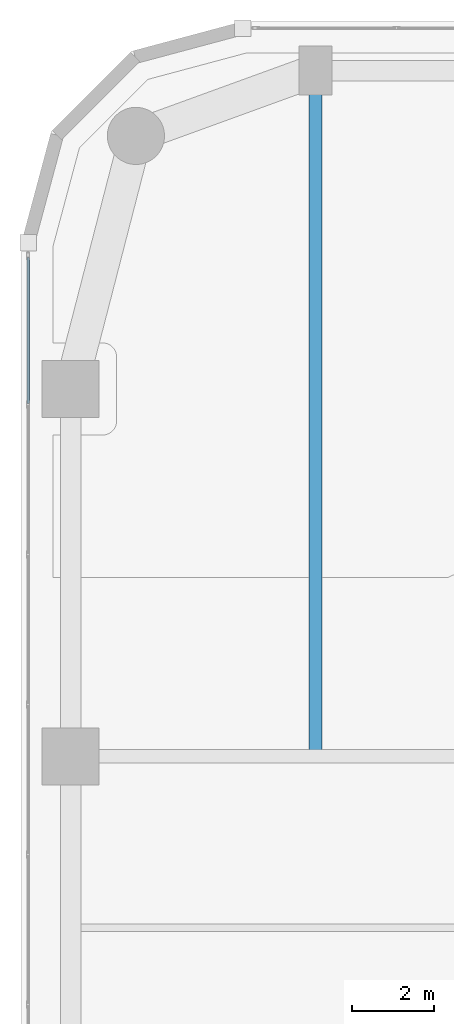
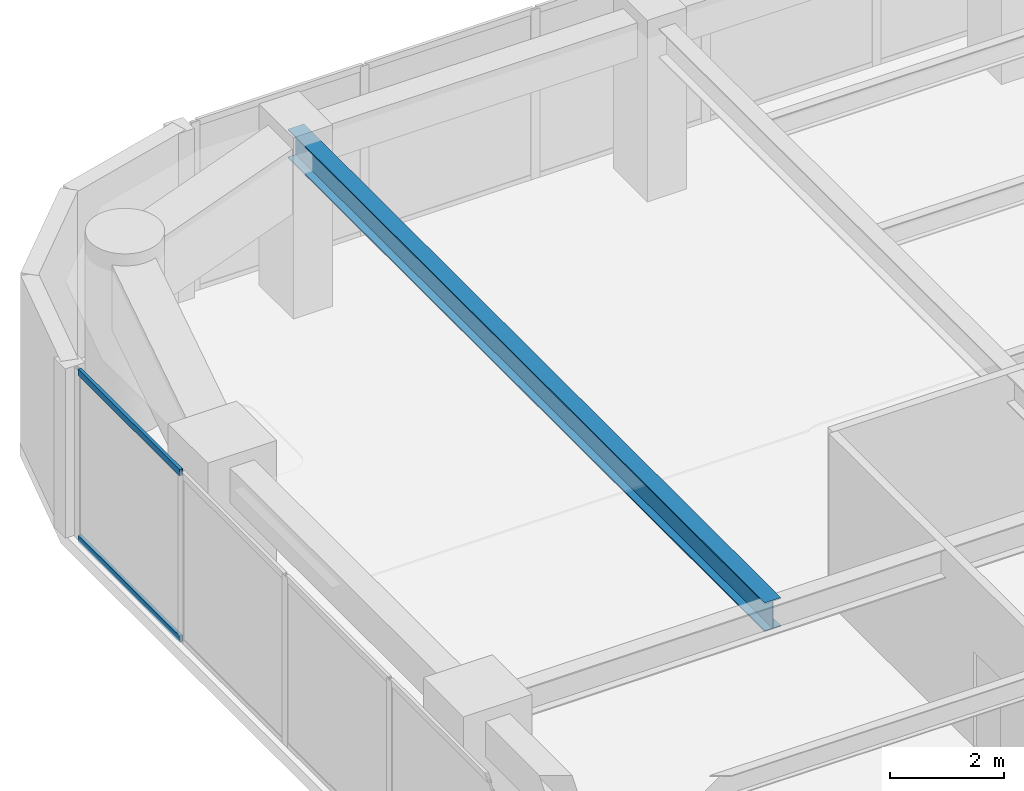
# One storey, part 10 of 24: 2 members, 1 beam, 1 element without a shape of its own.
"""IFC4 building model written with IfcOpenShell, lengths in metres."""

from ifc_helpers import new_model, si_unit, direction, frame, origin, origin_2d, place, context, subcontext, project, spatial, hollow_rectangle, i_section, extrude, material, layer, layer_set, material_profile, profile_set, type_object, element, aggregate, save


model = new_model("IFC4")

# Units and contexts
model_context = context("Model", 3, precision=1e-05, world=origin(), true_north=direction((0.0, 1.0)))
body_context = subcontext(model_context, "Body", "Model", "MODEL_VIEW")
ifc_project = project(units=[si_unit("LENGTHUNIT", "METRE"), si_unit("AREAUNIT", "SQUARE_METRE"), si_unit("VOLUMEUNIT", "CUBIC_METRE"), si_unit("PLANEANGLEUNIT", "RADIAN"), si_unit("MASSUNIT", "GRAM", prefix="KILO")], contexts=[model_context])

# Site, building, storey
site_placement = place(None, origin())
site = spatial("IfcSite", under=ifc_project, at=site_placement, CompositionType="ELEMENT")
building_placement = place(site_placement, origin())
building = spatial("IfcBuilding", under=site, at=building_placement, Name="Kiyonajd Concourse Tower", CompositionType="ELEMENT")
storey_placement = place(building_placement, frame((0.0, 0.0, 129.89990234375)))
storey = spatial("IfcBuildingStorey", under=building, at=storey_placement, Name="L33", CompositionType="ELEMENT", Elevation=129.89990234375)

# Beam
ifc_material_1 = material(Name="Steel ASTM A992 Grade 50", Category="steel")
ifc_material_profile_1 = material_profile(ifc_material_1, i_section(OverallWidth=0.326904296875, OverallDepth=0.6220703125, WebThickness=0.015380859375, FlangeThickness=0.0244140625, at=origin_2d()), Name="W610X195")
ifc_profile_set_1 = profile_set([ifc_material_profile_1], Name="Steel ASTM A992 Grade 50")
beam_type = type_object("IfcBeamType", Name="BM-TWR-610A", PredefinedType="BEAM", material=ifc_profile_set_1)
beam_placement = place(storey_placement, frame((25.199951171875, 44.39990234375, 3.3291015625), z_axis=(0.0, 1.0, 0.0), x_axis=(-1.0, 0.0, 0.0)))
element("IfcBeam", 1, at=beam_placement, inside=storey, type_object=beam_type, Name="L33 North Lease Girder", PredefinedType="BEAM", context=body_context, shape_type="SweptSolid", body=[
    extrude(i_section(OverallWidth=0.326904296875, OverallDepth=0.6220703125, WebThickness=0.015380859375, FlangeThickness=0.0244140625, at=origin_2d()), origin(), (0.0, 0.0, 1.0), 16.800048828125),
])

# Curtain wall, members
ifc_material_2 = material(Name="Thermally Broken Anodised Aluminium", Category="aluminium")
ifc_layer = layer(ifc_material_2, 0.179931640625)
ifc_layer_set = layer_set([ifc_layer], Name="Thermally Broken Anodised Aluminium")
curtain_wall_type = type_object("IfcCurtainWallType", Name="CW-SYS-03", PredefinedType="NOTDEFINED", material=ifc_layer_set)
curtain_wall_placement = place(storey_placement, origin())
curtain_wall = element("IfcCurtainWall", 2, at=curtain_wall_placement, inside=storey, type_object=curtain_wall_type, Name="L33 Unitised Curtain Wall CW3", PredefinedType="NOTDEFINED")
ifc_material_profile_2 = material_profile(ifc_material_2, hollow_rectangle(XDim=0.06494140625, YDim=0.139892578125, WallThickness=0.00390625, at=origin_2d()), Name="TRAN-65x140")
ifc_profile_set_2 = profile_set([ifc_material_profile_2], Name="Thermally Broken Anodised Aluminium")
member_type = type_object("IfcMemberType", Name="MB-CW-TRAN1", PredefinedType="USERDEFINED", material=ifc_profile_set_2)
member_1_placement = place(storey_placement, frame((18.159912109375, 53.04833984375, 0.03271484375), z_axis=(0.0, 1.0, 0.0), x_axis=(-1.0, 0.0, 0.0)))
member_1 = element("IfcMember", 3, at=member_1_placement, type_object=member_type, Name="CW3 transom 6.1", ObjectType="TRANSOM", PredefinedType="USERDEFINED", context=body_context, shape_type="SweptSolid", body=[
    extrude(hollow_rectangle(XDim=0.06494140625, YDim=0.139892578125, WallThickness=0.00390625, at=origin_2d()), origin(), (0.0, 0.0, 1.0), 3.575439453125),
])
member_2_placement = place(storey_placement, frame((18.159912109375, 53.04833984375, 3.607666015625), z_axis=(0.0, 1.0, 0.0), x_axis=(-1.0, 0.0, 0.0)))
member_2 = element("IfcMember", 4, at=member_2_placement, type_object=member_type, Name="CW3 transom 6.2", ObjectType="TRANSOM", PredefinedType="USERDEFINED", context=body_context, shape_type="SweptSolid", body=[
    extrude(hollow_rectangle(XDim=0.06494140625, YDim=0.139892578125, WallThickness=0.00390625, at=origin_2d()), origin(), (0.0, 0.0, 1.0), 3.575439453125),
])
aggregate(curtain_wall, [member_1, member_2])

save(model, "model.ifc")
